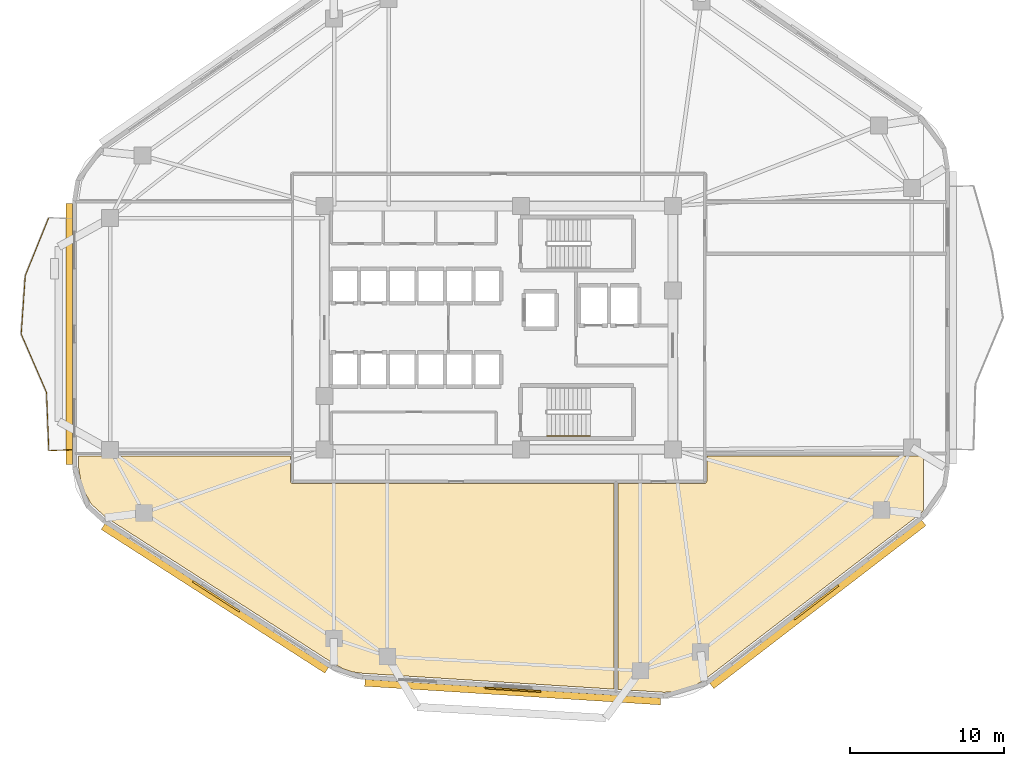
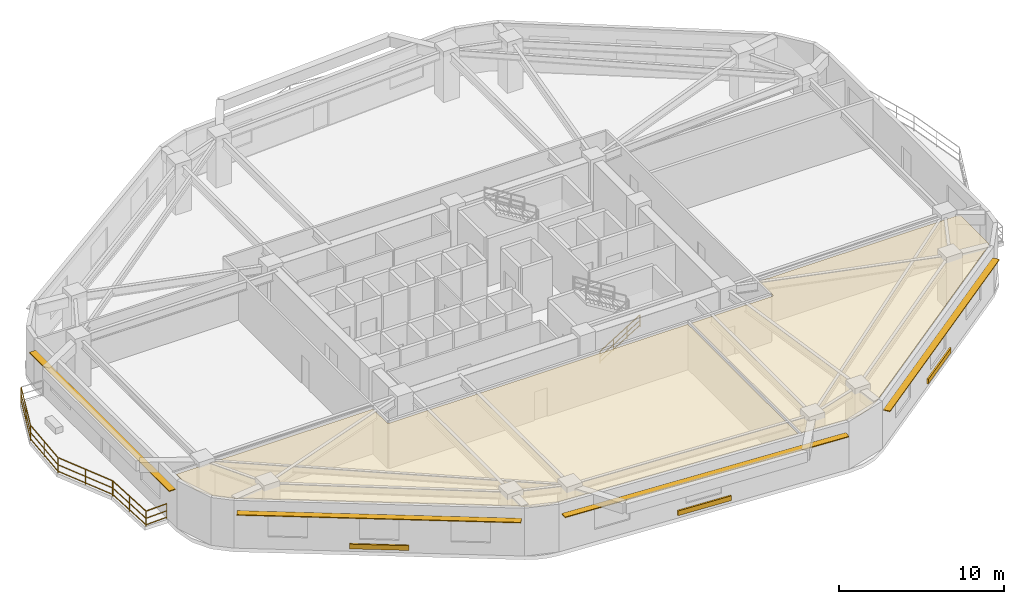
# One storey, part 7 of 9: 7 shading devices, 6 railings, 2 coverings.
"""IFC4 building model written with IfcOpenShell, lengths in metres."""

from ifc_helpers import new_model, si_unit, direction, frame, origin, origin_2d, place, context, subcontext, project, spatial, polyline, rectangle, outline, extrude, material, layer, layer_set, type_object, element, save


model = new_model("IFC4")

# Units and contexts
model_context = context("Model", 3, precision=1e-05, world=origin(), true_north=direction((0.0, 1.0)))
body_context = subcontext(model_context, "Body", "Model", "MODEL_VIEW")
ifc_project = project(units=[si_unit("LENGTHUNIT", "METRE"), si_unit("AREAUNIT", "SQUARE_METRE"), si_unit("VOLUMEUNIT", "CUBIC_METRE"), si_unit("PLANEANGLEUNIT", "RADIAN"), si_unit("MASSUNIT", "GRAM", prefix="KILO")], contexts=[model_context])

# Site, building, storey
site_placement = place(None, origin())
site = spatial("IfcSite", under=ifc_project, at=site_placement, CompositionType="ELEMENT")
building_placement = place(site_placement, origin())
building = spatial("IfcBuilding", under=site, at=building_placement, Name="Zulverin Broadcast Headquarters", CompositionType="ELEMENT")
storey_placement = place(building_placement, frame((0.0, 0.0, 104.800048828125)))
storey = spatial("IfcBuildingStorey", under=building, at=storey_placement, Name="L26", CompositionType="ELEMENT", Elevation=104.800048828125)

# Coverings
ifc_material_1 = material(Name="Perforated pale-metal acoustic baffle ceiling", Category="aluminium")
ifc_layer_1 = layer(ifc_material_1, 0.0400390625, Name="Perforated pale-metal acoustic baffle ceiling", Category="aluminium")
ifc_layer_set_1 = layer_set([ifc_layer_1], Name="Perforated pale-metal acoustic baffle ceiling")
covering_type = type_object("IfcCoveringType", Name="COV-CEIL-ACOU", PredefinedType="CEILING", material=ifc_layer_set_1)
covering_1_placement = place(storey_placement, frame((0.0, 0.0, 3.344970703125)))
element("IfcCovering", 1, at=covering_1_placement, inside=storey, type_object=covering_type, Name="L26 Acoustic Baffle Ceiling 02", PredefinedType="CEILING", context=body_context, shape_type="SweptSolid", body=[
    extrude(outline(polyline([(23.535888671875, 15.22802734375), (23.531982421875, 15.239990234375), (23.531982421875, 15.251953125), (23.531982421875, 16.89990234375), (9.800048828125, 16.89990234375), (9.800048828125, 16.179931640625), (10.01611328125, 14.904052734375), (10.615966796875, 13.800048828125), (11.572021484375, 12.927978515625), (26.347900390625, 3.43603515625), (26.931884765625, 3.1279296875), (27.5439453125, 2.924072265625), (28.19189453125, 2.83203125), (44.47998046875, 1.803955078125), (44.47998046875, 15.132080078125), (23.652099609375, 15.132080078125), (23.639892578125, 15.132080078125), (23.6279296875, 15.135986328125), (23.615966796875, 15.135986328125), (23.60791015625, 15.139892578125), (23.595947265625, 15.14794921875), (23.583984375, 15.152099609375), (23.575927734375, 15.159912109375), (23.568115234375, 15.16796875), (23.56005859375, 15.176025390625), (23.552001953125, 15.18408203125), (23.548095703125, 15.196044921875), (23.5400390625, 15.2080078125), (23.535888671875, 15.216064453125), (23.535888671875, 15.22802734375)])), origin(), (0.0, 0.0, 1.0), 0.0400390625),
])
covering_2_placement = place(storey_placement, frame((0.0, 0.0, 3.344970703125)))
element("IfcCovering", 2, at=covering_2_placement, inside=storey, type_object=covering_type, Name="L26 Acoustic Baffle Ceiling 03", PredefinedType="CEILING", context=body_context, shape_type="SweptSolid", body=[
    extrude(outline(polyline([(49.488037109375, 1.919921875), (50.2880859375, 2.39208984375), (64.2919921875, 13.152099609375), (64.5, 13.3720703125), (64.5, 16.89990234375), (50.471923828125, 16.89990234375), (50.471923828125, 15.251953125), (50.471923828125, 15.239990234375), (50.468017578125, 15.22802734375), (50.468017578125, 15.216064453125), (50.464111328125, 15.2080078125), (50.4560546875, 15.196044921875), (50.451904296875, 15.18408203125), (50.444091796875, 15.176025390625), (50.43603515625, 15.16796875), (50.427978515625, 15.159912109375), (50.419921875, 15.152099609375), (50.407958984375, 15.14794921875), (50.39599609375, 15.139892578125), (50.387939453125, 15.135986328125), (50.3759765625, 15.135986328125), (50.364013671875, 15.132080078125), (50.35205078125, 15.132080078125), (44.719970703125, 15.132080078125), (44.719970703125, 1.7880859375), (47.69189453125, 1.60009765625), (48.6240234375, 1.652099609375), (49.488037109375, 1.919921875)])), origin(), (0.0, 0.0, 1.0), 0.0400390625),
])

# Railings
ifc_material_2 = material(Name="Brushed stainless steel & laminated glass balustrade", Category="steel")
railing_type_1 = type_object("IfcRailingType", Name="RL-GUARD-1150", PredefinedType="GUARDRAIL", material=ifc_material_2)
railing_1_placement = place(storey_placement, frame((7.87451171875, 32.33056640625, 0.0)))
element("IfcRailing", 3, at=railing_1_placement, inside=storey, type_object=railing_type_1, Name="L26 Vertical-Forest Balcony Guardrail BAL_W Segment 02", PredefinedType="GUARDRAIL", context=body_context, shape_type="SweptSolid", body=[
    extrude(rectangle(XDim=0.048095703125, YDim=0.048095703125, at=origin_2d()), frame((0.0, 0.0, 1.1259765625), z_axis=(-0.374564917793, -0.927200691522, 0.0), x_axis=(0.927200691522, -0.374564917793, 0.0)), (0.0, 0.0, 1.0), 4.041748046875),
    extrude(rectangle(XDim=0.0419921875, YDim=0.0419921875, at=origin_2d()), frame((0.0, 0.0, 0.597900390625), z_axis=(-0.374564917793, -0.927200691522, 0.0), x_axis=(0.927200691522, -0.374564917793, 0.0)), (0.0, 0.0, 1.0), 4.041748046875),
    extrude(rectangle(XDim=0.0419921875, YDim=0.0419921875, at=origin_2d()), frame((0.0, 0.0, 0.1201171875), z_axis=(-0.374564917793, -0.927200691522, 0.0), x_axis=(0.927200691522, -0.374564917793, 0.0)), (0.0, 0.0, 1.0), 4.041748046875),
    extrude(rectangle(XDim=0.0419921875, YDim=0.0419921875, at=origin_2d()), origin(), (0.0, 0.0, 1.0), 1.101806640625),
    extrude(rectangle(XDim=0.0419921875, YDim=0.0419921875, at=origin_2d()), frame((-0.7568359375, -1.873779296875, 0.0)), (0.0, 0.0, 1.0), 1.101806640625),
    extrude(rectangle(XDim=0.0419921875, YDim=0.0419921875, at=origin_2d()), frame((-1.513916015625, -3.74755859375, 0.0)), (0.0, 0.0, 1.0), 1.101806640625),
])
railing_2_placement = place(storey_placement, frame((6.35400390625, 28.55419921875, 0.0)))
element("IfcRailing", 4, at=railing_2_placement, inside=storey, type_object=railing_type_1, Name="L26 Vertical-Forest Balcony Guardrail BAL_W Segment 03", PredefinedType="GUARDRAIL", context=body_context, shape_type="SweptSolid", body=[
    extrude(rectangle(XDim=0.048095703125, YDim=0.048095703125, at=origin_2d()), frame((0.0, 0.0, 1.1259765625), z_axis=(-0.069453778502, -0.997585170625, 0.0), x_axis=(0.997585170625, -0.069453778502, 0.0)), (0.0, 0.0, 1.0), 3.754150390625),
    extrude(rectangle(XDim=0.0419921875, YDim=0.0419921875, at=origin_2d()), frame((0.0, 0.0, 0.597900390625), z_axis=(-0.069453778502, -0.997585170625, 0.0), x_axis=(0.997585170625, -0.069453778502, 0.0)), (0.0, 0.0, 1.0), 3.754150390625),
    extrude(rectangle(XDim=0.0419921875, YDim=0.0419921875, at=origin_2d()), frame((0.0, 0.0, 0.1201171875), z_axis=(-0.069453778502, -0.997585170625, 0.0), x_axis=(0.997585170625, -0.069453778502, 0.0)), (0.0, 0.0, 1.0), 3.754150390625),
    extrude(rectangle(XDim=0.0419921875, YDim=0.0419921875, at=origin_2d()), origin(), (0.0, 0.0, 1.0), 1.101806640625),
    extrude(rectangle(XDim=0.0419921875, YDim=0.0419921875, at=origin_2d()), frame((-0.13037109375, -1.87255859375, 0.0)), (0.0, 0.0, 1.0), 1.101806640625),
    extrude(rectangle(XDim=0.0419921875, YDim=0.0419921875, at=origin_2d()), frame((-0.2607421875, -3.7451171875, 0.0)), (0.0, 0.0, 1.0), 1.101806640625),
])
railing_3_placement = place(storey_placement, frame((6.098388671875, 24.7802734375, 0.0)))
element("IfcRailing", 5, at=railing_3_placement, inside=storey, type_object=railing_type_1, Name="L26 Vertical-Forest Balcony Guardrail BAL_W Segment 04", PredefinedType="GUARDRAIL", context=body_context, shape_type="SweptSolid", body=[
    extrude(rectangle(XDim=0.048095703125, YDim=0.048095703125, at=origin_2d()), frame((0.0, 0.0, 1.1259765625), z_axis=(0.398177563781, -0.917308360205, 0.0), x_axis=(0.917308360205, 0.398177563781, 0.0)), (0.0, 0.0, 1.0), 4.08544921875),
    extrude(rectangle(XDim=0.0419921875, YDim=0.0419921875, at=origin_2d()), frame((0.0, 0.0, 0.597900390625), z_axis=(0.398177563781, -0.917308360205, 0.0), x_axis=(0.917308360205, 0.398177563781, 0.0)), (0.0, 0.0, 1.0), 4.08544921875),
    extrude(rectangle(XDim=0.0419921875, YDim=0.0419921875, at=origin_2d()), frame((0.0, 0.0, 0.1201171875), z_axis=(0.398177563781, -0.917308360205, 0.0), x_axis=(0.917308360205, 0.398177563781, 0.0)), (0.0, 0.0, 1.0), 4.08544921875),
    extrude(rectangle(XDim=0.0419921875, YDim=0.0419921875, at=origin_2d()), origin(), (0.0, 0.0, 1.0), 1.101806640625),
    extrude(rectangle(XDim=0.0419921875, YDim=0.0419921875, at=origin_2d()), frame((0.8134765625, -1.873779296875, 0.0)), (0.0, 0.0, 1.0), 1.101806640625),
    extrude(rectangle(XDim=0.0419921875, YDim=0.0419921875, at=origin_2d()), frame((1.626708984375, -3.74755859375, 0.0)), (0.0, 0.0, 1.0), 1.101806640625),
])
railing_4_placement = place(storey_placement, frame((7.731689453125, 21.00390625, 0.0)))
element("IfcRailing", 6, at=railing_4_placement, inside=storey, type_object=railing_type_1, Name="L26 Vertical-Forest Balcony Guardrail BAL_W Segment 05", PredefinedType="GUARDRAIL", context=body_context, shape_type="SweptSolid", body=[
    extrude(rectangle(XDim=0.048095703125, YDim=0.048095703125, at=origin_2d()), frame((0.0, 0.0, 1.1259765625), z_axis=(0.039406171793, -0.999223275162, 0.0), x_axis=(0.999223275162, 0.039406171793, 0.0)), (0.0, 0.0, 1.0), 3.748291015625),
    extrude(rectangle(XDim=0.0419921875, YDim=0.0419921875, at=origin_2d()), frame((0.0, 0.0, 0.597900390625), z_axis=(0.039406171793, -0.999223275162, 0.0), x_axis=(0.999223275162, 0.039406171793, 0.0)), (0.0, 0.0, 1.0), 3.748291015625),
    extrude(rectangle(XDim=0.0419921875, YDim=0.0419921875, at=origin_2d()), frame((0.0, 0.0, 0.1201171875), z_axis=(0.039406171793, -0.999223275162, 0.0), x_axis=(0.999223275162, 0.039406171793, 0.0)), (0.0, 0.0, 1.0), 3.748291015625),
    extrude(rectangle(XDim=0.0419921875, YDim=0.0419921875, at=origin_2d()), origin(), (0.0, 0.0, 1.0), 1.101806640625),
    extrude(rectangle(XDim=0.0419921875, YDim=0.0419921875, at=origin_2d()), frame((0.07373046875, -1.87255859375, 0.0)), (0.0, 0.0, 1.0), 1.101806640625),
    extrude(rectangle(XDim=0.0419921875, YDim=0.0419921875, at=origin_2d()), frame((0.147705078125, -3.745361328125, 0.0)), (0.0, 0.0, 1.0), 1.101806640625),
])
railing_5_placement = place(storey_placement, frame((7.89501953125, 17.244140625, 0.0)))
element("IfcRailing", 7, at=railing_5_placement, inside=storey, type_object=railing_type_1, Name="L26 Vertical-Forest Balcony Guardrail BAL_W Segment 06", PredefinedType="GUARDRAIL", context=body_context, shape_type="SweptSolid", body=[
    extrude(rectangle(XDim=0.048095703125, YDim=0.048095703125, at=origin_2d()), frame((0.0, 0.0, 1.1259765625), z_axis=(0.999174410196, 0.040626321628, 0.0), x_axis=(-0.040626321628, 0.999174410196, 0.0)), (0.0, 0.0, 1.0), 1.46630859375),
    extrude(rectangle(XDim=0.0419921875, YDim=0.0419921875, at=origin_2d()), frame((0.0, 0.0, 0.597900390625), z_axis=(0.999174410196, 0.040626321628, 0.0), x_axis=(-0.040626321628, 0.999174410196, 0.0)), (0.0, 0.0, 1.0), 1.46630859375),
    extrude(rectangle(XDim=0.0419921875, YDim=0.0419921875, at=origin_2d()), frame((0.0, 0.0, 0.1201171875), z_axis=(0.999174410196, 0.040626321628, 0.0), x_axis=(-0.040626321628, 0.999174410196, 0.0)), (0.0, 0.0, 1.0), 1.46630859375),
    extrude(rectangle(XDim=0.0419921875, YDim=0.0419921875, at=origin_2d()), origin(), (0.0, 0.0, 1.0), 1.101806640625),
    extrude(rectangle(XDim=0.0419921875, YDim=0.0419921875, at=origin_2d()), frame((1.465087890625, 0.0595703125, 0.0)), (0.0, 0.0, 1.0), 1.101806640625),
])
ifc_material_3 = material(Name="Brushed stainless steel 48 mm handrail", Category="steel")
railing_type_2 = type_object("IfcRailingType", Name="RL-ST-HAND", PredefinedType="HANDRAIL", material=ifc_material_3)
railing_6_placement = place(storey_placement, frame((40.1298828125, 18.199951171875, 0.172607421875)))
element("IfcRailing", 8, at=railing_6_placement, inside=storey, type_object=railing_type_2, Name="L26 ST-2 stair handrail 1", PredefinedType="HANDRAIL", context=body_context, shape_type="SweptSolid", body=[
    extrude(rectangle(XDim=0.048095703125, YDim=0.048095703125, at=origin_2d()), frame((0.0, 0.0, 0.8759765625), z_axis=(0.851089632645, 0.0, 0.525020415988), x_axis=(0.0, 1.0, 0.0)), (0.0, 0.0, 1.0), 3.2900390625),
    extrude(rectangle(XDim=0.0419921875, YDim=0.0419921875, at=origin_2d()), frame((0.0, 0.0, 0.468017578125), z_axis=(0.851089632645, 0.0, 0.525020415988), x_axis=(0.0, 1.0, 0.0)), (0.0, 0.0, 1.0), 3.2900390625),
    extrude(rectangle(XDim=0.0419921875, YDim=0.0419921875, at=origin_2d()), frame((0.0, 0.0, 0.1201171875), z_axis=(0.851089632645, 0.0, 0.525020415988), x_axis=(0.0, 1.0, 0.0)), (0.0, 0.0, 1.0), 3.2900390625),
    extrude(rectangle(XDim=0.0419921875, YDim=0.0419921875, at=origin_2d()), origin(), (0.0, 0.0, 1.0), 0.851806640625),
    extrude(rectangle(XDim=0.0419921875, YDim=0.0419921875, at=origin_2d()), frame((0.933349609375, 0.0, 0.57568359375)), (0.0, 0.0, 1.0), 0.851806640625),
    extrude(rectangle(XDim=0.0419921875, YDim=0.0419921875, at=origin_2d()), frame((1.86669921875, 0.0, 1.151611328125)), (0.0, 0.0, 1.0), 0.851806640625),
    extrude(rectangle(XDim=0.0419921875, YDim=0.0419921875, at=origin_2d()), frame((2.800048828125, 0.0, 1.727294921875)), (0.0, 0.0, 1.0), 0.851806640625),
])

# Shading devices
ifc_material_4 = material(Name="Anodized pale-metal aluminium acoustic louvre", Category="aluminium")
shading_device_type_1 = type_object("IfcShadingDeviceType", Name="SHD-LOUVRE-350", PredefinedType="USERDEFINED", material=ifc_material_4)
for number, where, z_axis, x_axis, name in (
    (9, (37.9189453125, 1.775390625, 0.244873046875), (0.0, 0.0, 1.0), (0.998017182581, -0.062942062821, 0.0), "L26 Spandrel Intake Louvre 1"),
    (10, (57.56103515625, 7.425048828125, 0.244873046875), (0.0, 0.0, 1.0), (0.792933468586, 0.609308226102, 0.0), "L26 Spandrel Intake Louvre 2"),
    (11, (18.71630859375, 7.816162109375, 0.244873046875), (0.0, 0.0, 1.0), (0.841296678234, -0.540573676007, 0.0), "L26 Spandrel Intake Louvre 8"),
):
    element("IfcShadingDevice", number, at=place(storey_placement, frame(where, z_axis=z_axis, x_axis=x_axis)), inside=storey, type_object=shading_device_type_1, Name=name, ObjectType="LOUVRE", PredefinedType="USERDEFINED", context=body_context, shape_type="SweptSolid", body=[
        extrude(rectangle(XDim=3.60009765625, YDim=0.1201171875, at=origin_2d()), origin(), (0.0, 0.0, 1.0), 0.35009765625),
    ])
ifc_material_5 = material(Name="Anodized pale-metal aluminium sunshade", Category="aluminium")
ifc_layer_2 = layer(ifc_material_5, 0.06005859375, Name="Anodized pale-metal aluminium sunshade", Category="aluminium")
ifc_layer_set_2 = layer_set([ifc_layer_2], Name="Anodized pale-metal aluminium sunshade")
shading_device_type_2 = type_object("IfcShadingDeviceType", Name="SS-01_PALE_METAL_ALUMINIUM_SUNSHADE", PredefinedType="USERDEFINED", material=ifc_layer_set_2)
shading_device_1_placement = place(storey_placement, frame((37.908935546875, 1.61572265625, 2.7099609375), z_axis=(0.0, 0.0, 1.0), x_axis=(0.998017182581, -0.062942062821, 0.0)))
element("IfcShadingDevice", 12, at=shading_device_1_placement, inside=storey, type_object=shading_device_type_2, Name="L26 Horizontal Pale-Metal Sunshade Band 1", ObjectType="SUNSHADE", PredefinedType="USERDEFINED", context=body_context, shape_type="SweptSolid", body=[
    extrude(rectangle(XDim=19.177001953125, YDim=0.449951171875, at=origin_2d()), origin(), (0.0, 0.0, 1.0), 0.06005859375),
])
shading_device_2_placement = place(storey_placement, frame((57.658447265625, 7.29833984375, 2.7099609375), z_axis=(0.0, 0.0, 1.0), x_axis=(0.792933468586, 0.609308226102, 0.0)))
element("IfcShadingDevice", 13, at=shading_device_2_placement, inside=storey, type_object=shading_device_type_2, Name="L26 Horizontal Pale-Metal Sunshade Band 2", ObjectType="SUNSHADE", PredefinedType="USERDEFINED", context=body_context, shape_type="SweptSolid", body=[
    extrude(rectangle(XDim=17.312744140625, YDim=0.449951171875, at=origin_2d()), origin(), (0.0, 0.0, 1.0), 0.06005859375),
])
shading_device_3_placement = place(storey_placement, frame((9.199951171875, 24.7939453125, 2.7099609375), z_axis=(0.0, 0.0, 1.0), x_axis=(0.0, -1.0, 0.0)))
element("IfcShadingDevice", 14, at=shading_device_3_placement, inside=storey, type_object=shading_device_type_2, Name="L26 Horizontal Pale-Metal Sunshade Band 7", ObjectType="SUNSHADE", PredefinedType="USERDEFINED", context=body_context, shape_type="SweptSolid", body=[
    extrude(rectangle(XDim=16.90087890625, YDim=0.449951171875, at=origin_2d()), origin(), (0.0, 0.0, 1.0), 0.06005859375),
])
shading_device_4_placement = place(storey_placement, frame((18.6298828125, 7.681640625, 2.7099609375), z_axis=(0.0, 0.0, 1.0), x_axis=(0.841296678234, -0.540573676007, 0.0)))
element("IfcShadingDevice", 15, at=shading_device_4_placement, inside=storey, type_object=shading_device_type_2, Name="L26 Horizontal Pale-Metal Sunshade Band 8", ObjectType="SUNSHADE", PredefinedType="USERDEFINED", context=body_context, shape_type="SweptSolid", body=[
    extrude(rectangle(XDim=17.2119140625, YDim=0.449951171875, at=origin_2d()), origin(), (0.0, 0.0, 1.0), 0.06005859375),
])

save(model, "model.ifc")
